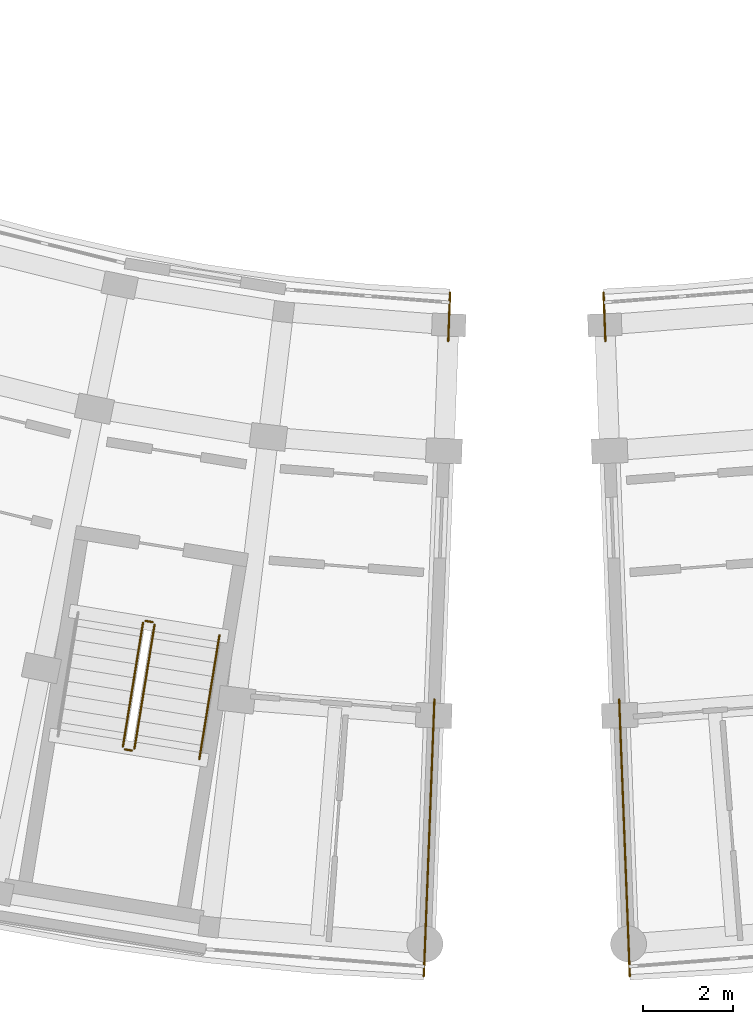
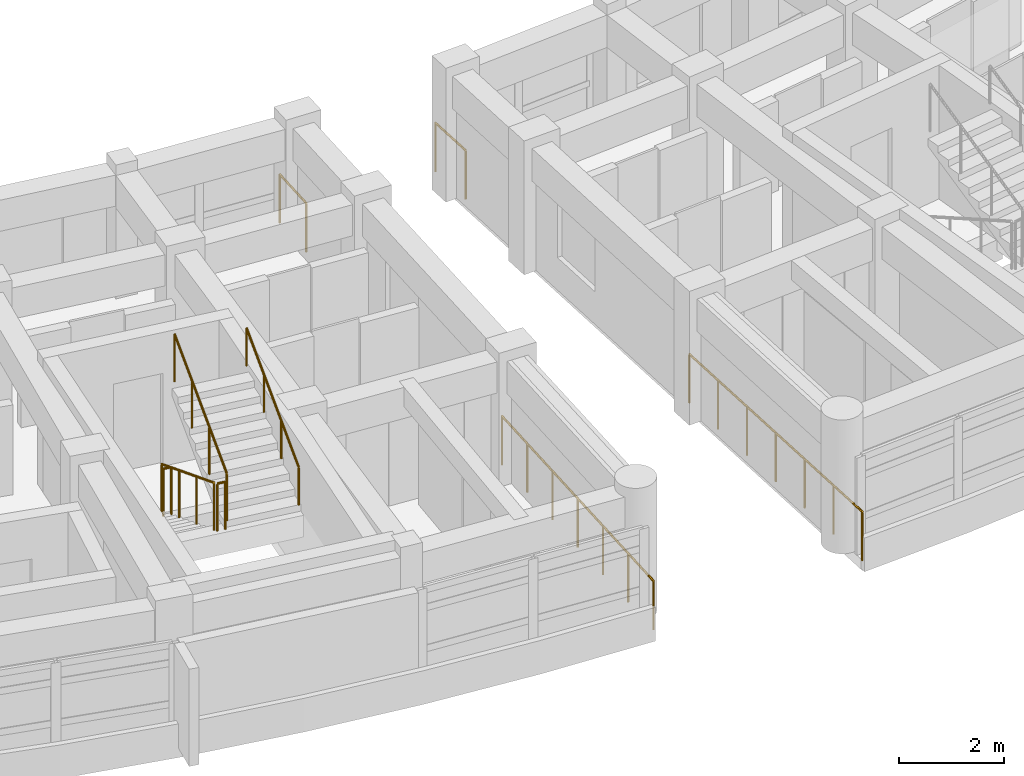
# One storey, part 49 of 56: 9 railings.
"""IFC4 building model written with IfcOpenShell, lengths in metres."""

from ifc_helpers import new_model, si_unit, direction, frame, origin, origin_2d, place, context, subcontext, project, spatial, circle, extrude, material, type_object, element, save


model = new_model("IFC4")

# Units and contexts
model_context = context("Model", 3, precision=1e-05, world=origin(), true_north=direction((0.0, 1.0)))
body_context = subcontext(model_context, "Body", "Model", "MODEL_VIEW")
ifc_project = project(units=[si_unit("LENGTHUNIT", "METRE"), si_unit("AREAUNIT", "SQUARE_METRE"), si_unit("VOLUMEUNIT", "CUBIC_METRE"), si_unit("PLANEANGLEUNIT", "RADIAN"), si_unit("MASSUNIT", "GRAM", prefix="KILO")], contexts=[model_context])

# Site, building, storey
site_placement = place(None, origin())
site = spatial("IfcSite", under=ifc_project, at=site_placement, CompositionType="ELEMENT")
building_placement = place(site_placement, origin())
building = spatial("IfcBuilding", under=site, at=building_placement, Name="Zimvara Arc Housing Community", CompositionType="ELEMENT")
storey_placement = place(building_placement, frame((0.0, 0.0, 11.199951171875)))
storey = spatial("IfcBuildingStorey", under=building, at=storey_placement, Name="L03", CompositionType="ELEMENT", Elevation=11.199951171875)

# Railings
ifc_material_1 = material(Name="Anodised Aluminium AW-6063", Category="aluminium")
railing_type_1 = type_object("IfcRailingType", Name="RLG-BAL-1120", PredefinedType="BALUSTRADE", material=ifc_material_1)
railing_1_placement = place(storey_placement, frame((117.455810546875, 58.15771484375, 0.155029296875)))
element("IfcRailing", 1, at=railing_1_placement, inside=storey, type_object=railing_type_1, Name="L03 ST-C2 stair guard 1", PredefinedType="BALUSTRADE", context=body_context, shape_type="SweptSolid", body=[
    extrude(circle(Radius=0.02392578125, at=origin_2d()), frame((0.0, 0.0, 1.09619140625), z_axis=(-0.14330919097, -0.882866015369, 0.447224859204), x_axis=(0.987080428045, -0.160225555297, 0.0)), (0.0, 0.0, 1.0), 3.119384765625),
    extrude(circle(Radius=0.02099609375, at=origin_2d()), origin(), (0.0, 0.0, 1.0), 1.072021484375),
    extrude(circle(Radius=0.02099609375, at=origin_2d()), frame((-0.14892578125, -0.91796875, 0.465087890625)), (0.0, 0.0, 1.0), 1.072021484375),
    extrude(circle(Radius=0.02099609375, at=origin_2d()), frame((-0.298095703125, -1.8359375, 0.929931640625)), (0.0, 0.0, 1.0), 1.072021484375),
    extrude(circle(Radius=0.02099609375, at=origin_2d()), frame((-0.447021484375, -2.75390625, 1.39501953125)), (0.0, 0.0, 1.0), 1.072021484375),
])
railing_2_placement = place(storey_placement, frame((117.050048828125, 55.346435546875, 1.550048828125)))
element("IfcRailing", 2, at=railing_2_placement, inside=storey, type_object=railing_type_1, Name="L03 ST-C2 stair guard 2", PredefinedType="BALUSTRADE", context=body_context, shape_type="SweptSolid", body=[
    extrude(circle(Radius=0.02392578125, at=origin_2d()), frame((0.0, 0.0, 1.09619140625), z_axis=(0.987085924886, -0.160191687964, 0.0), x_axis=(0.160191687964, 0.987085924886, 0.0)), (0.0, 0.0, 1.0), 0.159912109375),
    extrude(circle(Radius=0.02099609375, at=origin_2d()), origin(), (0.0, 0.0, 1.0), 1.072021484375),
    extrude(circle(Radius=0.02099609375, at=origin_2d()), frame((0.157958984375, -0.025634765625, 0.0)), (0.0, 0.0, 1.0), 1.072021484375),
])
railing_3_placement = place(storey_placement, frame((117.265380859375, 55.3623046875, 1.705078125)))
element("IfcRailing", 3, at=railing_3_placement, inside=storey, type_object=railing_type_1, Name="L03 ST-C2 stair guard 3", PredefinedType="BALUSTRADE", context=body_context, shape_type="SweptSolid", body=[
    extrude(circle(Radius=0.02392578125, at=origin_2d()), frame((0.0, 0.0, 1.09619140625), z_axis=(0.14330919097, 0.882866015369, 0.447224859204), x_axis=(-0.987080428045, 0.160225555297, 0.0)), (0.0, 0.0, 1.0), 3.119384765625),
    extrude(circle(Radius=0.02099609375, at=origin_2d()), origin(), (0.0, 0.0, 1.0), 1.072021484375),
    extrude(circle(Radius=0.02099609375, at=origin_2d()), frame((0.14892578125, 0.91796875, 0.465087890625)), (0.0, 0.0, 1.0), 1.072021484375),
    extrude(circle(Radius=0.02099609375, at=origin_2d()), frame((0.298095703125, 1.8359375, 0.929931640625)), (0.0, 0.0, 1.0), 1.072021484375),
    extrude(circle(Radius=0.02099609375, at=origin_2d()), frame((0.447021484375, 2.75390625, 1.39501953125)), (0.0, 0.0, 1.0), 1.072021484375),
])
railing_4_placement = place(storey_placement, frame((117.51318359375, 58.19921875, 0.0)))
element("IfcRailing", 4, at=railing_4_placement, inside=storey, type_object=railing_type_1, Name="L03 ST-C2 stair guard 4", PredefinedType="BALUSTRADE", context=body_context, shape_type="SweptSolid", body=[
    extrude(circle(Radius=0.02392578125, at=origin_2d()), frame((0.0, 0.0, 1.09619140625), z_axis=(0.987085924886, -0.160191687964, 0.0), x_axis=(0.160191687964, 0.987085924886, 0.0)), (0.0, 0.0, 1.0), 0.159912109375),
    extrude(circle(Radius=0.02099609375, at=origin_2d()), origin(), (0.0, 0.0, 1.0), 1.072021484375),
    extrude(circle(Radius=0.02099609375, at=origin_2d()), frame((0.157958984375, -0.025634765625, 0.0)), (0.0, 0.0, 1.0), 1.072021484375),
])
ifc_material_2 = material(Name="Anodised Aluminium AW-6063", Category="aluminium")
railing_type_2 = type_object("IfcRailingType", Name="RLG-BAL-1150", PredefinedType="BALUSTRADE", material=ifc_material_2)
railing_5_placement = place(storey_placement, frame((124.275634765625, 65.49267578125, 0.0)))
element("IfcRailing", 5, at=railing_5_placement, inside=storey, type_object=railing_type_2, Name="rlg:blkC:L03:gable_in:gN", PredefinedType="BALUSTRADE", context=body_context, shape_type="SweptSolid", body=[
    extrude(circle(Radius=0.02392578125, at=origin_2d()), frame((0.0, 0.0, 1.1259765625), z_axis=(-0.038433122101, -0.999261174631, 0.0), x_axis=(0.999261174631, -0.038433122101, 0.0)), (0.0, 0.0, 1.0), 1.079833984375),
    extrude(circle(Radius=0.02099609375, at=origin_2d()), origin(), (0.0, 0.0, 1.0), 1.101806640625),
    extrude(circle(Radius=0.02099609375, at=origin_2d()), frame((-0.04150390625, -1.0791015625, 0.0)), (0.0, 0.0, 1.0), 1.101806640625),
])
railing_6_placement = place(storey_placement, frame((123.928466796875, 56.45947265625, 0.0)))
element("IfcRailing", 6, at=railing_6_placement, inside=storey, type_object=railing_type_2, Name="rlg:blkC:L03:gable_out:gN", PredefinedType="BALUSTRADE", context=body_context, shape_type="SweptSolid", body=[
    extrude(circle(Radius=0.02392578125, at=origin_2d()), frame((0.0, 0.0, 1.1259765625), z_axis=(-0.038364627964, -0.99926380667, 0.0), x_axis=(0.99926380667, -0.038364627964, 0.0)), (0.0, 0.0, 1.0), 6.16015625),
    extrude(circle(Radius=0.02099609375, at=origin_2d()), origin(), (0.0, 0.0, 1.0), 1.101806640625),
    extrude(circle(Radius=0.02099609375, at=origin_2d()), frame((-0.039306640625, -1.02587890625, 0.0)), (0.0, 0.0, 1.0), 1.101806640625),
    extrude(circle(Radius=0.02099609375, at=origin_2d()), frame((-0.078857421875, -2.0517578125, 0.0)), (0.0, 0.0, 1.0), 1.101806640625),
    extrude(circle(Radius=0.02099609375, at=origin_2d()), frame((-0.1181640625, -3.07763671875, 0.0)), (0.0, 0.0, 1.0), 1.101806640625),
    extrude(circle(Radius=0.02099609375, at=origin_2d()), frame((-0.157470703125, -4.103759765625, 0.0)), (0.0, 0.0, 1.0), 1.101806640625),
    extrude(circle(Radius=0.02099609375, at=origin_2d()), frame((-0.197021484375, -5.129638671875, 0.0)), (0.0, 0.0, 1.0), 1.101806640625),
    extrude(circle(Radius=0.02099609375, at=origin_2d()), frame((-0.236328125, -6.155517578125, 0.0)), (0.0, 0.0, 1.0), 1.101806640625),
])
railing_7_placement = place(storey_placement, frame((127.684326171875, 65.49267578125, 0.0)))
element("IfcRailing", 7, at=railing_7_placement, inside=storey, type_object=railing_type_2, Name="rlg:blkD:L03:gable_in:g0", PredefinedType="BALUSTRADE", context=body_context, shape_type="SweptSolid", body=[
    extrude(circle(Radius=0.02392578125, at=origin_2d()), frame((0.0, 0.0, 1.1259765625), z_axis=(0.038433122101, -0.999261174631, 0.0), x_axis=(0.999261174631, 0.038433122101, 0.0)), (0.0, 0.0, 1.0), 1.079833984375),
    extrude(circle(Radius=0.02099609375, at=origin_2d()), origin(), (0.0, 0.0, 1.0), 1.101806640625),
    extrude(circle(Radius=0.02099609375, at=origin_2d()), frame((0.04150390625, -1.0791015625, 0.0)), (0.0, 0.0, 1.0), 1.101806640625),
])
railing_8_placement = place(storey_placement, frame((128.031494140625, 56.45947265625, 0.0)))
element("IfcRailing", 8, at=railing_8_placement, inside=storey, type_object=railing_type_2, Name="rlg:blkD:L03:gable_out:g0", PredefinedType="BALUSTRADE", context=body_context, shape_type="SweptSolid", body=[
    extrude(circle(Radius=0.02392578125, at=origin_2d()), frame((0.0, 0.0, 1.1259765625), z_axis=(0.038364627964, -0.99926380667, 0.0), x_axis=(0.99926380667, 0.038364627964, 0.0)), (0.0, 0.0, 1.0), 6.16015625),
    extrude(circle(Radius=0.02099609375, at=origin_2d()), origin(), (0.0, 0.0, 1.0), 1.101806640625),
    extrude(circle(Radius=0.02099609375, at=origin_2d()), frame((0.039306640625, -1.02587890625, 0.0)), (0.0, 0.0, 1.0), 1.101806640625),
    extrude(circle(Radius=0.02099609375, at=origin_2d()), frame((0.078857421875, -2.0517578125, 0.0)), (0.0, 0.0, 1.0), 1.101806640625),
    extrude(circle(Radius=0.02099609375, at=origin_2d()), frame((0.1181640625, -3.07763671875, 0.0)), (0.0, 0.0, 1.0), 1.101806640625),
    extrude(circle(Radius=0.02099609375, at=origin_2d()), frame((0.157470703125, -4.103759765625, 0.0)), (0.0, 0.0, 1.0), 1.101806640625),
    extrude(circle(Radius=0.02099609375, at=origin_2d()), frame((0.197021484375, -5.129638671875, 0.0)), (0.0, 0.0, 1.0), 1.101806640625),
    extrude(circle(Radius=0.02099609375, at=origin_2d()), frame((0.236328125, -6.155517578125, 0.0)), (0.0, 0.0, 1.0), 1.101806640625),
])
ifc_material_3 = material(Name="Anodised Aluminium AW-6063", Category="aluminium")
railing_type_3 = type_object("IfcRailingType", Name="RLG-HND-900", PredefinedType="HANDRAIL", material=ifc_material_3)
railing_9_placement = place(storey_placement, frame((118.70654296875, 55.128173828125, 1.705078125)))
element("IfcRailing", 9, at=railing_9_placement, inside=storey, type_object=railing_type_3, Name="L03 ST-C2 stair handrail 2", PredefinedType="HANDRAIL", context=body_context, shape_type="SweptSolid", body=[
    extrude(circle(Radius=0.02392578125, at=origin_2d()), frame((0.0, 0.0, 0.8759765625), z_axis=(0.143299288836, 0.882883275458, 0.447193957625), x_axis=(-0.987082674257, 0.160211716742, 0.0)), (0.0, 0.0, 1.0), 3.119384765625),
    extrude(circle(Radius=0.02099609375, at=origin_2d()), origin(), (0.0, 0.0, 1.0), 0.851806640625),
    extrude(circle(Radius=0.02099609375, at=origin_2d()), frame((0.14892578125, 0.91796875, 0.465087890625)), (0.0, 0.0, 1.0), 0.851806640625),
    extrude(circle(Radius=0.02099609375, at=origin_2d()), frame((0.298095703125, 1.836181640625, 0.929931640625)), (0.0, 0.0, 1.0), 0.851806640625),
    extrude(circle(Radius=0.02099609375, at=origin_2d()), frame((0.447021484375, 2.754150390625, 1.39501953125)), (0.0, 0.0, 1.0), 0.851806640625),
])

save(model, "model.ifc")
